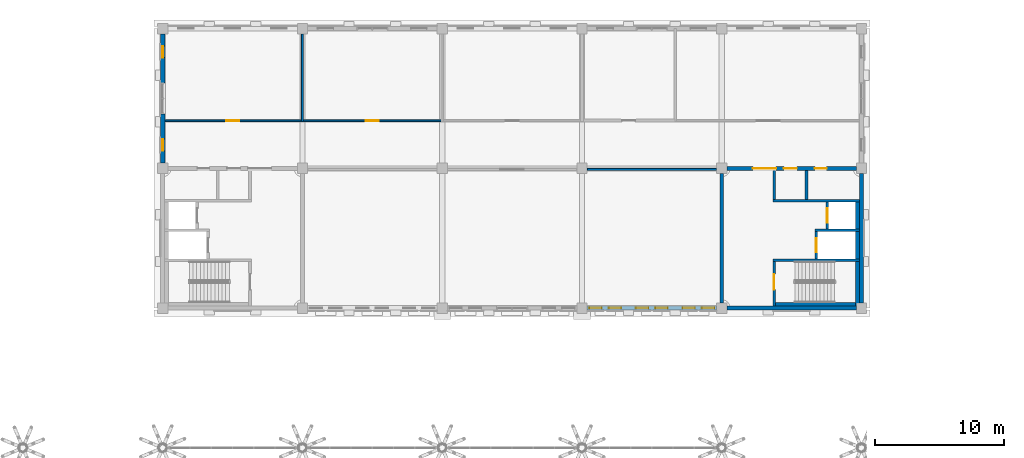
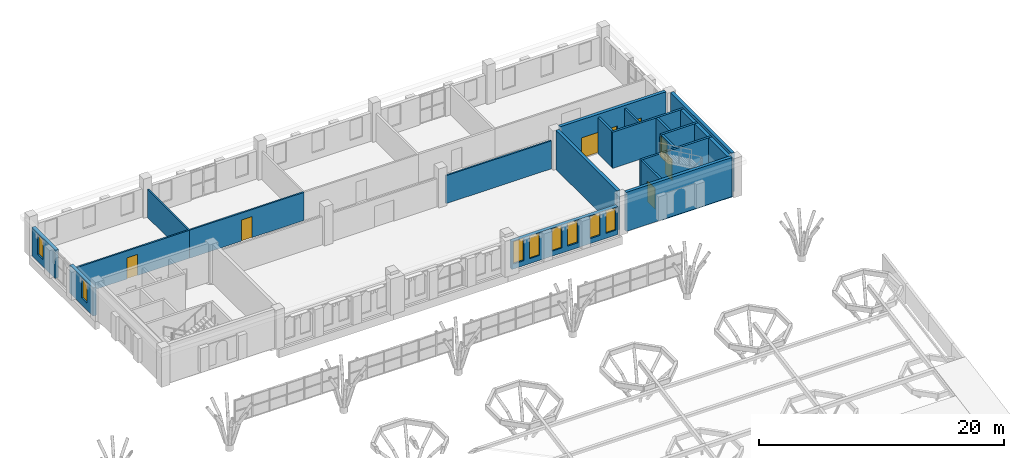
# One storey, part 33 of 42: 23 walls, 8 doors, 8 windows, 16 openings.
"""IFC4 building model written with IfcOpenShell, lengths in metres."""

from ifc_helpers import new_model, si_unit, direction, frame, frame_2d, origin, place, context, subcontext, project, spatial, rectangle, extrude, material, layer, layer_set, type_object, element, fill, save


model = new_model("IFC4")

# Units and contexts
model_context = context("Model", 3, precision=1e-05, world=origin(), true_north=direction((0.0, 1.0)))
body_context = subcontext(model_context, "Body", "Model", "MODEL_VIEW")
ifc_project = project(units=[si_unit("LENGTHUNIT", "METRE"), si_unit("AREAUNIT", "SQUARE_METRE"), si_unit("VOLUMEUNIT", "CUBIC_METRE"), si_unit("PLANEANGLEUNIT", "RADIAN"), si_unit("MASSUNIT", "GRAM", prefix="KILO")], contexts=[model_context])

# Site, building, storey
site_placement = place(None, origin())
site = spatial("IfcSite", under=ifc_project, at=site_placement, CompositionType="ELEMENT")
building_placement = place(site_placement, origin())
building = spatial("IfcBuilding", under=site, at=building_placement, Name="Magnolia Steps Interchange", CompositionType="ELEMENT")
storey_placement = place(building_placement, frame((0.0, 0.0, 12.60009765625)))
storey = spatial("IfcBuildingStorey", under=building, at=storey_placement, Name="L03", CompositionType="ELEMENT", Elevation=12.60009765625)

# Walls
ifc_material_1 = material(Name="Concrete C35", Category="concrete")
ifc_layer_1 = layer(ifc_material_1, 0.199951171875)
ifc_layer_set_1 = layer_set([ifc_layer_1], Name="Core enclosure wall 200")
wall_type_1 = type_object("IfcWallType", Name="Core enclosure wall 200", PredefinedType="SOLIDWALL", material=ifc_layer_set_1)
wall_1_placement = place(storey_placement, frame((111.25, 107.050048828125, 0.0), z_axis=(0.0, 0.0, 1.0), x_axis=(0.0, -1.0, 0.0)))
element("IfcWall", 1, at=wall_1_placement, inside=storey, type_object=wall_type_1, Name="L03 OC-E enclosure wall", PredefinedType="SOLIDWALL", context=body_context, shape_type="SweptSolid", body=[
    extrude(rectangle(XDim=2.25, YDim=0.199951171875, at=frame_2d((1.125, 0.0))), origin(), (0.0, 0.0, 1.0), 3.599853515625),
])
wall_2_placement = place(storey_placement, frame((111.14990234375, 104.699951171875, 0.0), z_axis=(0.0, 0.0, 1.0), x_axis=(1.0, 0.0, 0.0)))
element("IfcWall", 2, at=wall_2_placement, inside=storey, type_object=wall_type_1, Name="L03 OC-E enclosure wall", PredefinedType="SOLIDWALL", context=body_context, shape_type="SweptSolid", body=[
    extrude(rectangle(XDim=6.7001953125, YDim=0.199951171875, at=frame_2d((3.35009765625, 0.0))), origin(), (0.0, 0.0, 1.0), 3.599853515625),
])

# Wall, opening, door
wall_3_placement = place(storey_placement, frame((115.35009765625, 104.60009765625, 0.0), z_axis=(0.0, 0.0, 1.0), x_axis=(0.0, -1.0, 0.0)))
wall_3 = element("IfcWall", 3, at=wall_3_placement, inside=storey, type_object=wall_type_1, Name="L03 OC-E enclosure wall", PredefinedType="SOLIDWALL", context=body_context, shape_type="SweptSolid", body=[
    extrude(rectangle(XDim=2.10009765625, YDim=0.199951171875, at=frame_2d((1.050048828125, 0.0))), origin(), (0.0, 0.0, 1.0), 3.599853515625),
])
opening_1_placement = place(wall_3_placement, frame((0.5, 0.0, 0.0)))
opening_1 = element("IfcOpeningElement", 4, at=opening_1_placement, cuts=wall_3, Name="Opening LD", PredefinedType="OPENING", context=body_context, shape_type="SweptSolid", body=[
    extrude(rectangle(XDim=1.10009765625, YDim=2.10009765625, at=frame_2d((0.550048828125, 1.050048828125))), frame((0.0, 0.10986328125, 0.0), z_axis=(0.0, -1.0, 0.0), x_axis=(1.0, 0.0, 0.0)), (0.0, 0.0, 1.0), 0.219970703125),
])
ifc_material_2 = material(Name="Stainless steel grade 304", Category="steel")
door_type_1 = type_object("IfcDoorType", Name="Lift landing door 1100x2100", OperationType="DOUBLE_DOOR_SLIDING", PredefinedType="DOOR", material=ifc_material_2)
door_1_placement = place(opening_1_placement, frame((1.10009765625, 0.0, 0.0), z_axis=(0.0, 0.0, 1.0), x_axis=(-1.0, 0.0, 0.0)))
door_1 = element("IfcDoor", 5, at=door_1_placement, inside=storey, type_object=door_type_1, Name="Lift landing door LF17 L03", OperationType="DOUBLE_DOOR_SLIDING", OverallHeight=2.10009765625, OverallWidth=1.10009765625, PredefinedType="DOOR", context=body_context, shape_type="SweptSolid", body=[
    extrude(rectangle(XDim=1.10009765625, YDim=2.10009765625, at=frame_2d((0.550048828125, 1.050048828125))), frame((0.0, 0.02490234375, 0.0), z_axis=(0.0, -1.0, 0.0), x_axis=(1.0, 0.0, 0.0)), (0.0, 0.0, 1.0), 0.050048828125),
])
fill(opening_1, door_1)

# Wall
wall_4_placement = place(storey_placement, frame((114.39990234375, 102.39990234375, 0.0), z_axis=(0.0, 0.0, 1.0), x_axis=(1.0, 0.0, 0.0)))
element("IfcWall", 6, at=wall_4_placement, inside=storey, type_object=wall_type_1, Name="L03 OC-E enclosure wall", PredefinedType="SOLIDWALL", context=body_context, shape_type="SweptSolid", body=[
    extrude(rectangle(XDim=3.4501953125, YDim=0.199951171875, at=frame_2d((1.72509765625, 0.0))), origin(), (0.0, 0.0, 1.0), 3.599853515625),
])

# Wall, opening, door
wall_5_placement = place(storey_placement, frame((114.5, 102.300048828125, 0.0), z_axis=(0.0, 0.0, 1.0), x_axis=(0.0, -1.0, 0.0)))
wall_5 = element("IfcWall", 7, at=wall_5_placement, inside=storey, type_object=wall_type_1, Name="L03 OC-E enclosure wall", PredefinedType="SOLIDWALL", context=body_context, shape_type="SweptSolid", body=[
    extrude(rectangle(XDim=2.10009765625, YDim=0.199951171875, at=frame_2d((1.050048828125, 0.0))), origin(), (0.0, 0.0, 1.0), 3.599853515625),
])
opening_2_placement = place(wall_5_placement, frame((0.5, 0.0, 0.0)))
opening_2 = element("IfcOpeningElement", 8, at=opening_2_placement, cuts=wall_5, Name="Opening LD", PredefinedType="OPENING", context=body_context, shape_type="SweptSolid", body=[
    extrude(rectangle(XDim=1.10009765625, YDim=2.10009765625, at=frame_2d((0.550048828125, 1.050048828125))), frame((0.0, 0.10986328125, 0.0), z_axis=(0.0, -1.0, 0.0), x_axis=(1.0, 0.0, 0.0)), (0.0, 0.0, 1.0), 0.219970703125),
])
door_2_placement = place(opening_2_placement, frame((1.10009765625, 0.0, 0.0), z_axis=(0.0, 0.0, 1.0), x_axis=(-1.0, 0.0, 0.0)))
door_2 = element("IfcDoor", 9, at=door_2_placement, inside=storey, type_object=door_type_1, Name="Lift landing door LF18 L03", OperationType="DOUBLE_DOOR_SLIDING", OverallHeight=2.10009765625, OverallWidth=1.10009765625, PredefinedType="DOOR", context=body_context, shape_type="SweptSolid", body=[
    extrude(rectangle(XDim=1.10009765625, YDim=2.10009765625, at=frame_2d((0.550048828125, 1.050048828125))), frame((0.0, 0.02490234375, 0.0), z_axis=(0.0, -1.0, 0.0), x_axis=(1.0, 0.0, 0.0)), (0.0, 0.0, 1.0), 0.050048828125),
])
fill(opening_2, door_2)

# Wall
wall_6_placement = place(storey_placement, frame((111.14990234375, 100.10009765625, 0.0), z_axis=(0.0, 0.0, 1.0), x_axis=(1.0, 0.0, 0.0)))
element("IfcWall", 10, at=wall_6_placement, inside=storey, type_object=wall_type_1, Name="L03 OC-E enclosure wall", PredefinedType="SOLIDWALL", context=body_context, shape_type="SweptSolid", body=[
    extrude(rectangle(XDim=6.7001953125, YDim=0.199951171875, at=frame_2d((3.35009765625, 0.0))), origin(), (0.0, 0.0, 1.0), 3.599853515625),
])

# Wall, opening, door
wall_7_placement = place(storey_placement, frame((111.25, 100.0, 0.0), z_axis=(0.0, 0.0, 1.0), x_axis=(0.0, -1.0, 0.0)))
wall_7 = element("IfcWall", 11, at=wall_7_placement, inside=storey, type_object=wall_type_1, Name="L03 OC-E enclosure wall", PredefinedType="SOLIDWALL", context=body_context, shape_type="SweptSolid", body=[
    extrude(rectangle(XDim=3.449951171875, YDim=0.199951171875, at=frame_2d((1.72509765625, 0.0))), origin(), (0.0, 0.0, 1.0), 3.599853515625),
])
opening_3_placement = place(wall_7_placement, frame((0.97509765625, 0.0, 0.0)))
opening_3 = element("IfcOpeningElement", 12, at=opening_3_placement, cuts=wall_7, Name="Opening D-OC-E-L03-1", PredefinedType="OPENING", context=body_context, shape_type="SweptSolid", body=[
    extrude(rectangle(XDim=1.199951171875, YDim=2.10009765625, at=frame_2d((0.60009765625, 1.050048828125))), frame((0.0, 0.10986328125, 0.0), z_axis=(0.0, -1.0, 0.0), x_axis=(1.0, 0.0, 0.0)), (0.0, 0.0, 1.0), 0.219970703125),
])
ifc_material_3 = material(Name="Painted steel", Category="steel")
door_type_2 = type_object("IfcDoorType", Name="Stair fire door 1200x2100", OperationType="NOTDEFINED", PredefinedType="DOOR", material=ifc_material_3)
door_3_placement = place(opening_3_placement, frame((1.199951171875, 0.0, 0.0), z_axis=(0.0, 0.0, 1.0), x_axis=(-1.0, 0.0, 0.0)))
door_3 = element("IfcDoor", 13, at=door_3_placement, inside=storey, type_object=door_type_2, Name="Stair door ST29 L03", OperationType="SINGLE_SWING_RIGHT", OverallHeight=2.10009765625, OverallWidth=1.199951171875, PredefinedType="DOOR", context=body_context, shape_type="SweptSolid", body=[
    extrude(rectangle(XDim=1.199951171875, YDim=2.10009765625, at=frame_2d((0.60009765625, 1.050048828125))), frame((0.0, 0.02490234375, 0.0), z_axis=(0.0, -1.0, 0.0), x_axis=(1.0, 0.0, 0.0)), (0.0, 0.0, 1.0), 0.050048828125),
])
fill(opening_3, door_3)

# Walls
ifc_material_4 = material(Name="Concrete C35", Category="concrete")
ifc_layer_2 = layer(ifc_material_4, 0.300048828125)
ifc_layer_set_2 = layer_set([ifc_layer_2], Name="Core lining wall 300")
wall_type_2 = type_object("IfcWallType", Name="Core lining wall 300", PredefinedType="SOLIDWALL", material=ifc_layer_set_2)
wall_8_placement = place(storey_placement, frame((111.14990234375, 96.699951171875, -0.300048828125), z_axis=(0.0, 0.0, 1.0), x_axis=(1.0, 0.0, 0.0)))
element("IfcWall", 14, at=wall_8_placement, inside=storey, type_object=wall_type_2, Name="L03 OC-E stair lining wall", PredefinedType="SOLIDWALL", context=body_context, shape_type="SweptSolid", body=[
    extrude(rectangle(XDim=6.7001953125, YDim=0.300048828125, at=frame_2d((3.35009765625, 0.0))), origin(), (0.0, 0.0, 1.0), 3.89990234375),
])
wall_9_placement = place(storey_placement, frame((117.699951171875, 100.0, -0.300048828125), z_axis=(0.0, 0.0, 1.0), x_axis=(0.0, -1.0, 0.0)))
element("IfcWall", 15, at=wall_9_placement, inside=storey, type_object=wall_type_2, Name="L03 OC-E stair lining wall", PredefinedType="SOLIDWALL", context=body_context, shape_type="SweptSolid", body=[
    extrude(rectangle(XDim=3.449951171875, YDim=0.300048828125, at=frame_2d((1.72509765625, 0.0))), origin(), (0.0, 0.0, 1.0), 3.89990234375),
])
for number, where, z_axis, x_axis, name in (
    (16, (117.699951171875, 104.60009765625, -0.300048828125), (0.0, 0.0, 1.0), (0.0, -1.0, 0.0), "L03 OC-E stair lining wall"),
    (17, (117.699951171875, 102.300048828125, -0.300048828125), (0.0, 0.0, 1.0), (0.0, -1.0, 0.0), "L03 OC-E stair lining wall"),
):
    element("IfcWall", number, at=place(storey_placement, frame(where, z_axis=z_axis, x_axis=x_axis)), inside=storey, type_object=wall_type_2, Name=name, PredefinedType="SOLIDWALL", context=body_context, shape_type="SweptSolid", body=[
        extrude(rectangle(XDim=2.10009765625, YDim=0.300048828125, at=frame_2d((1.050048828125, 0.0))), origin(), (0.0, 0.0, 1.0), 3.89990234375),
    ])
ifc_material_5 = material(Name="Fair-faced blockwork", Category="masonry")
ifc_layer_3 = layer(ifc_material_5, 0.199951171875)
ifc_layer_set_3 = layer_set([ifc_layer_3], Name="Core partition 200")
wall_type_3 = type_object("IfcWallType", Name="Core partition 200", PredefinedType="PARTITIONING", material=ifc_layer_set_3)
wall_10_placement = place(storey_placement, frame((113.75, 107.050048828125, 0.0), z_axis=(0.0, 0.0, 1.0), x_axis=(0.0, -1.0, 0.0)))
element("IfcWall", 18, at=wall_10_placement, inside=storey, type_object=wall_type_3, Name="L03 OC-E toilet partition", PredefinedType="PARTITIONING", context=body_context, shape_type="SweptSolid", body=[
    extrude(rectangle(XDim=2.25, YDim=0.199951171875, at=frame_2d((1.125, 0.0))), origin(), (0.0, 0.0, 1.0), 3.599853515625),
])
ifc_material_6 = material(Name="Concrete C40", Category="concrete")
ifc_layer_4 = layer(ifc_material_6, 0.300048828125)
ifc_layer_set_4 = layer_set([ifc_layer_4], Name="Core wall 300")
wall_type_4 = type_object("IfcWallType", Name="Core wall 300", PredefinedType="SOLIDWALL", material=ifc_layer_set_4)
for number, where, z_axis, x_axis, name in (
    (19, (107.60009765625, 96.39990234375, 0.0), (0.0, 0.0, 1.0), (1.0, 0.0, 0.0), "Core wall OC-E"),
    (20, (118.0, 96.800048828125, 0.0), (0.0, 0.0, 1.0), (0.0, 1.0, 0.0), "Core wall OC-E"),
):
    element("IfcWall", number, at=place(storey_placement, frame(where, z_axis=z_axis, x_axis=x_axis)), inside=storey, type_object=wall_type_4, Name=name, PredefinedType="SOLIDWALL", context=body_context, shape_type="SweptSolid", body=[
        extrude(rectangle(XDim=10.0, YDim=0.300048828125, at=frame_2d((5.0, 0.0))), origin(), (0.0, 0.0, 1.0), 3.89990234375),
    ])

# Wall, openings, doors
wall_11_placement = place(storey_placement, frame((117.60009765625, 107.199951171875, 0.0), z_axis=(0.0, 0.0, 1.0), x_axis=(-1.0, 0.0, 0.0)))
wall_11 = element("IfcWall", 21, at=wall_11_placement, inside=storey, type_object=wall_type_4, Name="Core wall OC-E", PredefinedType="SOLIDWALL", context=body_context, shape_type="SweptSolid", body=[
    extrude(rectangle(XDim=10.0, YDim=0.300048828125, at=frame_2d((5.0, 0.0))), origin(), (0.0, 0.0, 1.0), 3.89990234375),
])
opening_4_placement = place(wall_11_placement, frame((6.199951171875, 0.0, 0.0)))
opening_4 = element("IfcOpeningElement", 22, at=opening_4_placement, cuts=wall_11, Name="Opening D-OC-E-L03-2", PredefinedType="OPENING", context=body_context, shape_type="SweptSolid", body=[
    extrude(rectangle(XDim=1.800048828125, YDim=2.10009765625, at=frame_2d((0.89990234375, 1.050048828125))), frame((0.0, 0.159912109375, 0.0), z_axis=(0.0, -1.0, 0.0), x_axis=(1.0, 0.0, 0.0)), (0.0, 0.0, 1.0), 0.320068359375),
])
opening_5_placement = place(wall_11_placement, frame((4.60009765625, 0.0, 0.0)))
opening_5 = element("IfcOpeningElement", 23, at=opening_5_placement, cuts=wall_11, Name="Opening D-OC-E-L03-3", PredefinedType="OPENING", context=body_context, shape_type="SweptSolid", body=[
    extrude(rectangle(XDim=1.0, YDim=2.10009765625, at=frame_2d((0.5, 1.050048828125))), frame((0.0, 0.159912109375, 0.0), z_axis=(0.0, -1.0, 0.0), x_axis=(1.0, 0.0, 0.0)), (0.0, 0.0, 1.0), 0.320068359375),
])
opening_6_placement = place(wall_11_placement, frame((2.300048828125, 0.0, 0.0)))
opening_6 = element("IfcOpeningElement", 24, at=opening_6_placement, cuts=wall_11, Name="Opening D-OC-E-L03-4", PredefinedType="OPENING", context=body_context, shape_type="SweptSolid", body=[
    extrude(rectangle(XDim=0.89990234375, YDim=2.10009765625, at=frame_2d((0.449951171875, 1.050048828125))), frame((0.0, 0.159912109375, 0.0), z_axis=(0.0, -1.0, 0.0), x_axis=(1.0, 0.0, 0.0)), (0.0, 0.0, 1.0), 0.320068359375),
])
ifc_material_7 = material(Name="Timber", Category="wood")
door_type_3 = type_object("IfcDoorType", Name="Accessible toilet door 1000x2100", OperationType="NOTDEFINED", PredefinedType="DOOR", material=ifc_material_7)
door_4_placement = place(opening_5_placement, origin())
door_4 = element("IfcDoor", 25, at=door_4_placement, inside=storey, type_object=door_type_3, Name="Accessible Toilet door OC-E L03", OperationType="SINGLE_SWING_RIGHT", OverallHeight=2.10009765625, OverallWidth=1.0, PredefinedType="DOOR", context=body_context, shape_type="SweptSolid", body=[
    extrude(rectangle(XDim=1.0, YDim=2.10009765625, at=frame_2d((0.5, 1.050048828125))), frame((0.0, 0.02490234375, 0.0), z_axis=(0.0, -1.0, 0.0), x_axis=(1.0, 0.0, 0.0)), (0.0, 0.0, 1.0), 0.050048828125),
])
fill(opening_5, door_4)
ifc_material_8 = material(Name="Timber and glass", Category="wood")
door_type_4 = type_object("IfcDoorType", Name="Core entrance door pair 1800x2100", OperationType="DOUBLE_DOOR_DOUBLE_SWING", PredefinedType="DOOR", material=ifc_material_8)
door_5_placement = place(opening_4_placement, frame((1.800048828125, 0.0, 0.0), z_axis=(0.0, 0.0, 1.0), x_axis=(-1.0, 0.0, 0.0)))
door_5 = element("IfcDoor", 26, at=door_5_placement, inside=storey, type_object=door_type_4, Name="Core entrance door OC-E L03", OperationType="DOUBLE_DOOR_DOUBLE_SWING", OverallHeight=2.10009765625, OverallWidth=1.800048828125, PredefinedType="DOOR", context=body_context, shape_type="SweptSolid", body=[
    extrude(rectangle(XDim=1.800048828125, YDim=2.10009765625, at=frame_2d((0.89990234375, 1.050048828125))), frame((0.0, 0.02490234375, 0.0), z_axis=(0.0, -1.0, 0.0), x_axis=(1.0, 0.0, 0.0)), (0.0, 0.0, 1.0), 0.050048828125),
])
fill(opening_4, door_5)
ifc_material_9 = material(Name="Timber", Category="wood")
door_type_5 = type_object("IfcDoorType", Name="Toilet door 900x2100", OperationType="NOTDEFINED", PredefinedType="DOOR", material=ifc_material_9)
door_6_placement = place(opening_6_placement, origin())
door_6 = element("IfcDoor", 27, at=door_6_placement, inside=storey, type_object=door_type_5, Name="Public Toilets door OC-E L03", OperationType="SINGLE_SWING_LEFT", OverallHeight=2.10009765625, OverallWidth=0.89990234375, PredefinedType="DOOR", context=body_context, shape_type="SweptSolid", body=[
    extrude(rectangle(XDim=0.89990234375, YDim=2.10009765625, at=frame_2d((0.449951171875, 1.050048828125))), frame((0.0, 0.02490234375, 0.0), z_axis=(0.0, -1.0, 0.0), x_axis=(1.0, 0.0, 0.0)), (0.0, 0.0, 1.0), 0.050048828125),
])
fill(opening_6, door_6)

# Wall
wall_12_placement = place(storey_placement, frame((107.199951171875, 106.800048828125, 0.0), z_axis=(0.0, 0.0, 1.0), x_axis=(0.0, -1.0, 0.0)))
element("IfcWall", 28, at=wall_12_placement, inside=storey, type_object=wall_type_4, Name="Core wall OC-E", PredefinedType="SOLIDWALL", context=body_context, shape_type="SweptSolid", body=[
    extrude(rectangle(XDim=10.0, YDim=0.300048828125, at=frame_2d((5.0, 0.0))), origin(), (0.0, 0.0, 1.0), 3.89990234375),
])

# Wall, openings, windows
ifc_material_10 = material(Name="Lime render on masonry", Category="masonry")
ifc_layer_5 = layer(ifc_material_10, 0.324951171875)
ifc_layer_set_5 = layer_set([ifc_layer_5], Name="Lime render wall 325")
wall_type_5 = type_object("IfcWallType", Name="Lime render wall 325", PredefinedType="SOLIDWALL", material=ifc_layer_set_5)
wall_13_placement = place(storey_placement, frame((96.800048828125, 96.39990234375, 0.0), z_axis=(0.0, 0.0, 1.0), x_axis=(1.0, 0.0, 0.0)))
wall_13 = element("IfcWall", 29, at=wall_13_placement, inside=storey, type_object=wall_type_5, Name="Operations building south wall L03 pier 3", PredefinedType="SOLIDWALL", context=body_context, shape_type="SweptSolid", body=[
    extrude(rectangle(XDim=10.0, YDim=0.324951171875, at=frame_2d((5.0, 0.0))), origin(), (0.0, 0.0, 1.0), 2.7998046875),
])
opening_7_placement = place(wall_13_placement, frame((0.175048828125, 0.0, 0.5)))
opening_7 = element("IfcOpeningElement", 30, at=opening_7_placement, cuts=wall_13, Name="Opening WN13", PredefinedType="OPENING", context=body_context, shape_type="SweptSolid", body=[
    extrude(rectangle(XDim=0.949951171875, YDim=2.25, at=frame_2d((0.47509765625, 1.125))), frame((0.0, 0.17236328125, 0.0), z_axis=(0.0, -1.0, 0.0), x_axis=(1.0, 0.0, 0.0)), (0.0, 0.0, 1.0), 0.344970703125),
])
opening_8_placement = place(wall_13_placement, frame((3.77490234375, 0.0, 0.5)))
opening_8 = element("IfcOpeningElement", 31, at=opening_8_placement, cuts=wall_13, Name="Opening WN13", PredefinedType="OPENING", context=body_context, shape_type="SweptSolid", body=[
    extrude(rectangle(XDim=0.949951171875, YDim=2.25, at=frame_2d((0.47509765625, 1.125))), frame((0.0, 0.17236328125, 0.0), z_axis=(0.0, -1.0, 0.0), x_axis=(1.0, 0.0, 0.0)), (0.0, 0.0, 1.0), 0.344970703125),
])
opening_9_placement = place(wall_13_placement, frame((7.375, 0.0, 0.5)))
opening_9 = element("IfcOpeningElement", 32, at=opening_9_placement, cuts=wall_13, Name="Opening WN13", PredefinedType="OPENING", context=body_context, shape_type="SweptSolid", body=[
    extrude(rectangle(XDim=0.949951171875, YDim=2.25, at=frame_2d((0.47509765625, 1.125))), frame((0.0, 0.17236328125, 0.0), z_axis=(0.0, -1.0, 0.0), x_axis=(1.0, 0.0, 0.0)), (0.0, 0.0, 1.0), 0.344970703125),
])
opening_10_placement = place(wall_13_placement, frame((1.675048828125, 0.0, 0.5)))
opening_10 = element("IfcOpeningElement", 33, at=opening_10_placement, cuts=wall_13, Name="Opening WN13", PredefinedType="OPENING", context=body_context, shape_type="SweptSolid", body=[
    extrude(rectangle(XDim=0.949951171875, YDim=2.25, at=frame_2d((0.47509765625, 1.125))), frame((0.0, 0.17236328125, 0.0), z_axis=(0.0, -1.0, 0.0), x_axis=(1.0, 0.0, 0.0)), (0.0, 0.0, 1.0), 0.344970703125),
])
opening_11_placement = place(wall_13_placement, frame((5.27490234375, 0.0, 0.5)))
opening_11 = element("IfcOpeningElement", 34, at=opening_11_placement, cuts=wall_13, Name="Opening WN13", PredefinedType="OPENING", context=body_context, shape_type="SweptSolid", body=[
    extrude(rectangle(XDim=0.949951171875, YDim=2.25, at=frame_2d((0.47509765625, 1.125))), frame((0.0, 0.17236328125, 0.0), z_axis=(0.0, -1.0, 0.0), x_axis=(1.0, 0.0, 0.0)), (0.0, 0.0, 1.0), 0.344970703125),
])
opening_12_placement = place(wall_13_placement, frame((8.875, 0.0, 0.5)))
opening_12 = element("IfcOpeningElement", 35, at=opening_12_placement, cuts=wall_13, Name="Opening WN13", PredefinedType="OPENING", context=body_context, shape_type="SweptSolid", body=[
    extrude(rectangle(XDim=0.949951171875, YDim=2.25, at=frame_2d((0.47509765625, 1.125))), frame((0.0, 0.17236328125, 0.0), z_axis=(0.0, -1.0, 0.0), x_axis=(1.0, 0.0, 0.0)), (0.0, 0.0, 1.0), 0.344970703125),
])
ifc_material_11 = material(Name="Timber frame with double glazing", Category="wood")
window_type_1 = type_object("IfcWindowType", Name="Paired piano nobile window 950 x 2250", PartitioningType="DOUBLE_PANEL_VERTICAL", PredefinedType="WINDOW", material=ifc_material_11)
window_1_placement = place(opening_7_placement, origin())
window_1 = element("IfcWindow", 36, at=window_1_placement, inside=storey, type_object=window_type_1, Name="Paired window L03 south 7a", OverallHeight=2.25, OverallWidth=0.949951171875, PartitioningType="SINGLE_PANEL", PredefinedType="WINDOW", context=body_context, shape_type="SweptSolid", body=[
    extrude(rectangle(XDim=0.949951171875, YDim=2.25, at=frame_2d((0.47509765625, 1.125))), frame((0.0, 0.030029296875, 0.0), z_axis=(0.0, -1.0, 0.0), x_axis=(1.0, 0.0, 0.0)), (0.0, 0.0, 1.0), 0.06005859375),
])
fill(opening_7, window_1)
window_2_placement = place(opening_8_placement, origin())
window_2 = element("IfcWindow", 37, at=window_2_placement, inside=storey, type_object=window_type_1, Name="Paired window L03 south 8a", OverallHeight=2.25, OverallWidth=0.949951171875, PartitioningType="SINGLE_PANEL", PredefinedType="WINDOW", context=body_context, shape_type="SweptSolid", body=[
    extrude(rectangle(XDim=0.949951171875, YDim=2.25, at=frame_2d((0.47509765625, 1.125))), frame((0.0, 0.030029296875, 0.0), z_axis=(0.0, -1.0, 0.0), x_axis=(1.0, 0.0, 0.0)), (0.0, 0.0, 1.0), 0.06005859375),
])
fill(opening_8, window_2)
window_3_placement = place(opening_9_placement, origin())
window_3 = element("IfcWindow", 38, at=window_3_placement, inside=storey, type_object=window_type_1, Name="Paired window L03 south 9a", OverallHeight=2.25, OverallWidth=0.949951171875, PartitioningType="SINGLE_PANEL", PredefinedType="WINDOW", context=body_context, shape_type="SweptSolid", body=[
    extrude(rectangle(XDim=0.949951171875, YDim=2.25, at=frame_2d((0.47509765625, 1.125))), frame((0.0, 0.030029296875, 0.0), z_axis=(0.0, -1.0, 0.0), x_axis=(1.0, 0.0, 0.0)), (0.0, 0.0, 1.0), 0.06005859375),
])
fill(opening_9, window_3)
window_4_placement = place(opening_10_placement, origin())
window_4 = element("IfcWindow", 39, at=window_4_placement, inside=storey, type_object=window_type_1, Name="Paired window L03 south 7b", OverallHeight=2.25, OverallWidth=0.949951171875, PartitioningType="SINGLE_PANEL", PredefinedType="WINDOW", context=body_context, shape_type="SweptSolid", body=[
    extrude(rectangle(XDim=0.949951171875, YDim=2.25, at=frame_2d((0.47509765625, 1.125))), frame((0.0, 0.030029296875, 0.0), z_axis=(0.0, -1.0, 0.0), x_axis=(1.0, 0.0, 0.0)), (0.0, 0.0, 1.0), 0.06005859375),
])
fill(opening_10, window_4)
window_5_placement = place(opening_11_placement, origin())
window_5 = element("IfcWindow", 40, at=window_5_placement, inside=storey, type_object=window_type_1, Name="Paired window L03 south 8b", OverallHeight=2.25, OverallWidth=0.949951171875, PartitioningType="SINGLE_PANEL", PredefinedType="WINDOW", context=body_context, shape_type="SweptSolid", body=[
    extrude(rectangle(XDim=0.949951171875, YDim=2.25, at=frame_2d((0.47509765625, 1.125))), frame((0.0, 0.030029296875, 0.0), z_axis=(0.0, -1.0, 0.0), x_axis=(1.0, 0.0, 0.0)), (0.0, 0.0, 1.0), 0.06005859375),
])
fill(opening_11, window_5)
window_6_placement = place(opening_12_placement, origin())
window_6 = element("IfcWindow", 41, at=window_6_placement, inside=storey, type_object=window_type_1, Name="Paired window L03 south 9b", OverallHeight=2.25, OverallWidth=0.949951171875, PartitioningType="SINGLE_PANEL", PredefinedType="WINDOW", context=body_context, shape_type="SweptSolid", body=[
    extrude(rectangle(XDim=0.949951171875, YDim=2.25, at=frame_2d((0.47509765625, 1.125))), frame((0.0, 0.030029296875, 0.0), z_axis=(0.0, -1.0, 0.0), x_axis=(1.0, 0.0, 0.0)), (0.0, 0.0, 1.0), 0.06005859375),
])
fill(opening_12, window_6)

# Wall, opening, window
wall_14_placement = place(storey_placement, frame((64.0, 107.60009765625, 0.0), z_axis=(0.0, 0.0, 1.0), x_axis=(0.0, 1.0, 0.0)))
wall_14 = element("IfcWall", 42, at=wall_14_placement, inside=storey, type_object=wall_type_5, Name="Operations building west wall L03 pier 1", PredefinedType="SOLIDWALL", context=body_context, shape_type="SweptSolid", body=[
    extrude(rectangle(XDim=3.7998046875, YDim=0.324951171875, at=frame_2d((1.89990234375, 0.0))), origin(), (0.0, 0.0, 1.0), 2.7998046875),
])
opening_13_placement = place(wall_14_placement, frame((0.949951171875, 0.0, 0.699951171875)))
opening_13 = element("IfcOpeningElement", 43, at=opening_13_placement, cuts=wall_14, Name="Opening WN10", PredefinedType="OPENING", context=body_context, shape_type="SweptSolid", body=[
    extrude(rectangle(XDim=0.89990234375, YDim=2.0, at=frame_2d((0.449951171875, 1.0))), frame((0.0, 0.17236328125, 0.0), z_axis=(0.0, -1.0, 0.0), x_axis=(1.0, 0.0, 0.0)), (0.0, 0.0, 1.0), 0.344970703125),
])
ifc_material_12 = material(Name="Timber frame with double glazing", Category="wood")
window_type_2 = type_object("IfcWindowType", Name="Gable end window 900 x 2000", PartitioningType="SINGLE_PANEL", PredefinedType="WINDOW", material=ifc_material_12)
window_7_placement = place(opening_13_placement, origin())
window_7 = element("IfcWindow", 44, at=window_7_placement, inside=storey, type_object=window_type_2, Name="Window L03 west 1", OverallHeight=2.0, OverallWidth=0.89990234375, PartitioningType="SINGLE_PANEL", PredefinedType="WINDOW", context=body_context, shape_type="SweptSolid", body=[
    extrude(rectangle(XDim=0.89990234375, YDim=2.0, at=frame_2d((0.449951171875, 1.0))), frame((0.0, 0.030029296875, 0.0), z_axis=(0.0, -1.0, 0.0), x_axis=(1.0, 0.0, 0.0)), (0.0, 0.0, 1.0), 0.06005859375),
])
fill(opening_13, window_7)

wall_15_placement = place(storey_placement, frame((64.0, 113.800048828125, 0.0), z_axis=(0.0, 0.0, 1.0), x_axis=(0.0, 1.0, 0.0)))
wall_15 = element("IfcWall", 45, at=wall_15_placement, inside=storey, type_object=wall_type_5, Name="Operations building west wall L03 pier 3", PredefinedType="SOLIDWALL", context=body_context, shape_type="SweptSolid", body=[
    extrude(rectangle(XDim=3.800048828125, YDim=0.324951171875, at=frame_2d((1.89990234375, 0.0))), origin(), (0.0, 0.0, 1.0), 2.7998046875),
])
opening_14_placement = place(wall_15_placement, frame((1.949951171875, 0.0, 0.699951171875)))
opening_14 = element("IfcOpeningElement", 46, at=opening_14_placement, cuts=wall_15, Name="Opening WN10", PredefinedType="OPENING", context=body_context, shape_type="SweptSolid", body=[
    extrude(rectangle(XDim=0.89990234375, YDim=2.0, at=frame_2d((0.449951171875, 1.0))), frame((0.0, 0.17236328125, 0.0), z_axis=(0.0, -1.0, 0.0), x_axis=(1.0, 0.0, 0.0)), (0.0, 0.0, 1.0), 0.344970703125),
])
window_8_placement = place(opening_14_placement, origin())
window_8 = element("IfcWindow", 47, at=window_8_placement, inside=storey, type_object=window_type_2, Name="Window L03 west 3", OverallHeight=2.0, OverallWidth=0.89990234375, PartitioningType="SINGLE_PANEL", PredefinedType="WINDOW", context=body_context, shape_type="SweptSolid", body=[
    extrude(rectangle(XDim=0.89990234375, YDim=2.0, at=frame_2d((0.449951171875, 1.0))), frame((0.0, 0.030029296875, 0.0), z_axis=(0.0, -1.0, 0.0), x_axis=(1.0, 0.0, 0.0)), (0.0, 0.0, 1.0), 0.06005859375),
])
fill(opening_14, window_8)

# Wall
ifc_material_13 = material(Name="Fair-faced blockwork", Category="masonry")
ifc_layer_6 = layer(ifc_material_13, 0.14990234375)
ifc_layer_set_6 = layer_set([ifc_layer_6], Name="Partition wall 150")
wall_type_6 = type_object("IfcWallType", Name="Partition wall 150", PredefinedType="PARTITIONING", material=ifc_layer_set_6)
wall_16_placement = place(storey_placement, frame((96.820068359375, 107.125, 0.0), z_axis=(0.0, 0.0, 1.0), x_axis=(1.0, 0.0, 0.0)))
element("IfcWall", 48, at=wall_16_placement, inside=storey, type_object=wall_type_6, Name="L03 partition 1", PredefinedType="PARTITIONING", context=body_context, shape_type="SweptSolid", body=[
    extrude(rectangle(XDim=9.9599609375, YDim=0.14990234375, at=frame_2d((4.97998046875, 0.0))), origin(), (0.0, 0.0, 1.0), 2.7998046875),
])

# Wall, opening, door
wall_17_placement = place(storey_placement, frame((64.0, 110.875, 0.0), z_axis=(0.0, 0.0, 1.0), x_axis=(1.0, 0.0, 0.0)))
wall_17 = element("IfcWall", 49, at=wall_17_placement, inside=storey, type_object=wall_type_6, Name="L03 partition 4", PredefinedType="PARTITIONING", context=body_context, shape_type="SweptSolid", body=[
    extrude(rectangle(XDim=10.800048828125, YDim=0.14990234375, at=frame_2d((5.39990234375, 0.0))), origin(), (0.0, 0.0, 1.0), 2.7998046875),
])
opening_15_placement = place(wall_17_placement, frame((4.89990234375, 0.0, 0.0)))
opening_15 = element("IfcOpeningElement", 50, at=opening_15_placement, cuts=wall_17, Name="Opening D-L03-2", PredefinedType="OPENING", context=body_context, shape_type="SweptSolid", body=[
    extrude(rectangle(XDim=1.0, YDim=2.10009765625, at=frame_2d((0.5, 1.050048828125))), frame((0.0, 0.0849609375, 0.0), z_axis=(0.0, -1.0, 0.0), x_axis=(1.0, 0.0, 0.0)), (0.0, 0.0, 1.0), 0.169921875),
])
ifc_material_14 = material(Name="Timber", Category="wood")
door_type_6 = type_object("IfcDoorType", Name="Room door 1000x2100", OperationType="NOTDEFINED", PredefinedType="DOOR", material=ifc_material_14)
door_7_placement = place(opening_15_placement, frame((1.0, 0.0, 0.0), z_axis=(0.0, 0.0, 1.0), x_axis=(-1.0, 0.0, 0.0)))
door_7 = element("IfcDoor", 51, at=door_7_placement, inside=storey, type_object=door_type_6, Name="Meeting Room 1 door", OperationType="SINGLE_SWING_LEFT", OverallHeight=2.10009765625, OverallWidth=1.0, PredefinedType="DOOR", context=body_context, shape_type="SweptSolid", body=[
    extrude(rectangle(XDim=1.0, YDim=2.10009765625, at=frame_2d((0.5, 1.050048828125))), frame((0.0, 0.02490234375, 0.0), z_axis=(0.0, -1.0, 0.0), x_axis=(1.0, 0.0, 0.0)), (0.0, 0.0, 1.0), 0.050048828125),
])
fill(opening_15, door_7)

wall_18_placement = place(storey_placement, frame((74.800048828125, 110.875, 0.0), z_axis=(0.0, 0.0, 1.0), x_axis=(1.0, 0.0, 0.0)))
wall_18 = element("IfcWall", 52, at=wall_18_placement, inside=storey, type_object=wall_type_6, Name="L03 partition 5", PredefinedType="PARTITIONING", context=body_context, shape_type="SweptSolid", body=[
    extrude(rectangle(XDim=10.800048828125, YDim=0.14990234375, at=frame_2d((5.39990234375, 0.0))), origin(), (0.0, 0.0, 1.0), 2.7998046875),
])
opening_16_placement = place(wall_18_placement, frame((4.89990234375, 0.0, 0.0)))
opening_16 = element("IfcOpeningElement", 53, at=opening_16_placement, cuts=wall_18, Name="Opening D-L03-3", PredefinedType="OPENING", context=body_context, shape_type="SweptSolid", body=[
    extrude(rectangle(XDim=1.0, YDim=2.10009765625, at=frame_2d((0.5, 1.050048828125))), frame((0.0, 0.0849609375, 0.0), z_axis=(0.0, -1.0, 0.0), x_axis=(1.0, 0.0, 0.0)), (0.0, 0.0, 1.0), 0.169921875),
])
door_8_placement = place(opening_16_placement, frame((1.0, 0.0, 0.0), z_axis=(0.0, 0.0, 1.0), x_axis=(-1.0, 0.0, 0.0)))
door_8 = element("IfcDoor", 54, at=door_8_placement, inside=storey, type_object=door_type_6, Name="Meeting Room 2 door", OperationType="SINGLE_SWING_RIGHT", OverallHeight=2.10009765625, OverallWidth=1.0, PredefinedType="DOOR", context=body_context, shape_type="SweptSolid", body=[
    extrude(rectangle(XDim=1.0, YDim=2.10009765625, at=frame_2d((0.5, 1.050048828125))), frame((0.0, 0.02490234375, 0.0), z_axis=(0.0, -1.0, 0.0), x_axis=(1.0, 0.0, 0.0)), (0.0, 0.0, 1.0), 0.050048828125),
])
fill(opening_16, door_8)

# Wall
wall_19_placement = place(storey_placement, frame((74.800048828125, 110.800048828125, 0.0), z_axis=(0.0, 0.0, 1.0), x_axis=(0.0, 1.0, 0.0)))
element("IfcWall", 55, at=wall_19_placement, inside=storey, type_object=wall_type_6, Name="L03 partition 9", PredefinedType="PARTITIONING", context=body_context, shape_type="SweptSolid", body=[
    extrude(rectangle(XDim=6.780029296875, YDim=0.14990234375, at=frame_2d((3.39013671875, 0.0))), origin(), (0.0, 0.0, 1.0), 2.7998046875),
])

save(model, "model.ifc")
